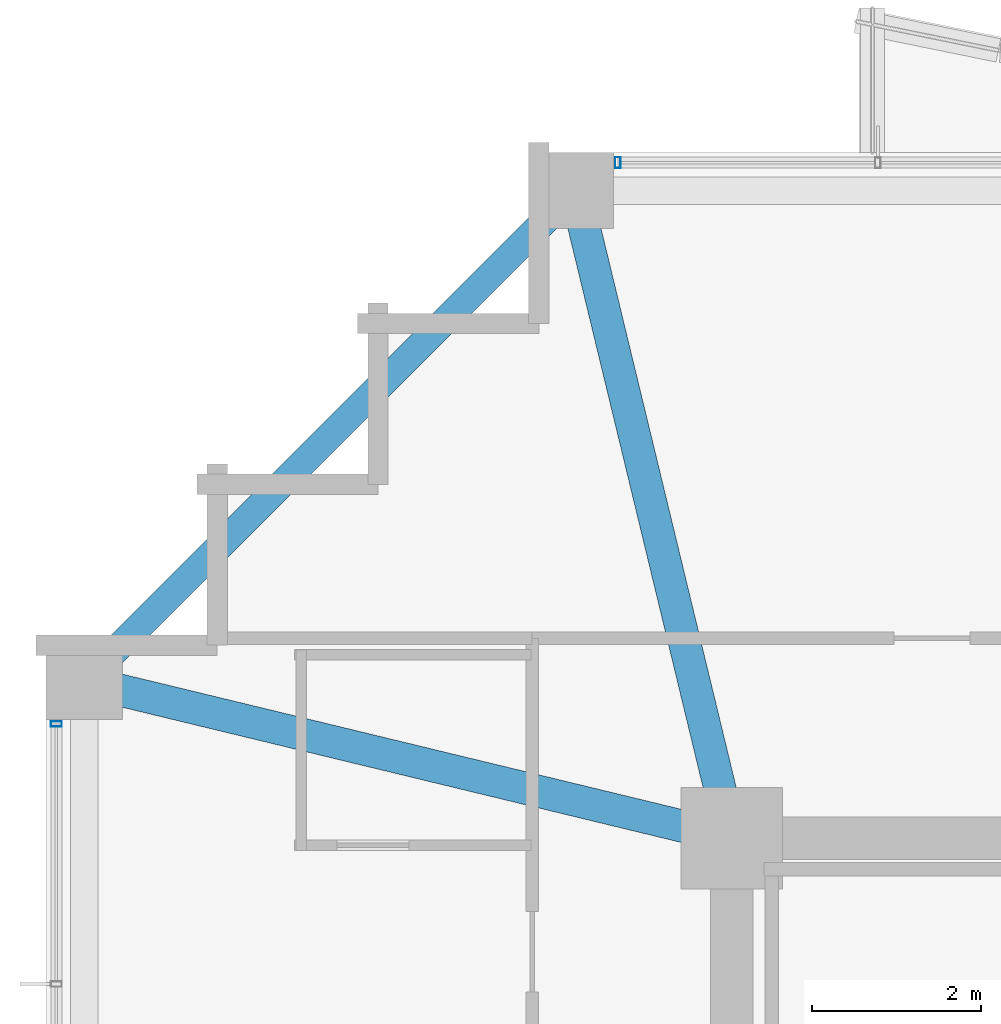
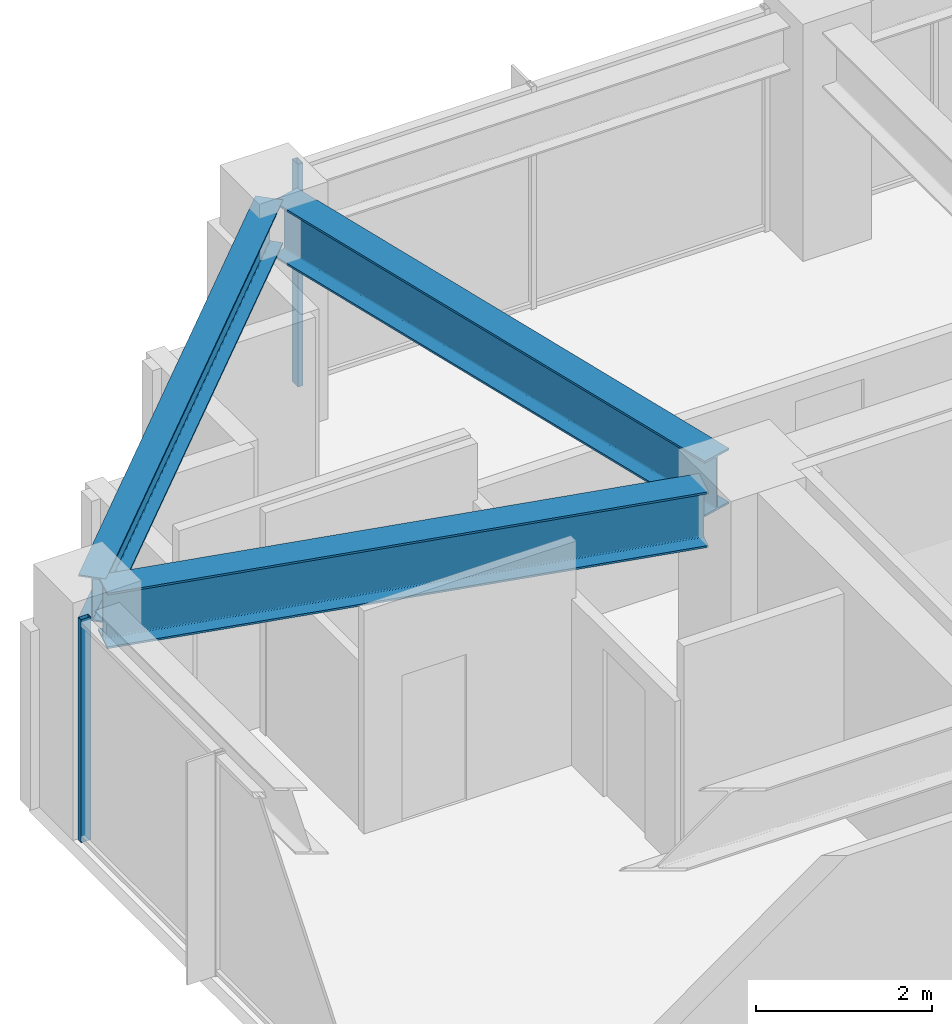
# One storey, part 16 of 31: 3 beams, 2 members, 2 elements without a shape of their own.
"""IFC4 building model written with IfcOpenShell, lengths in metres."""

from ifc_helpers import new_model, si_unit, direction, frame, origin, origin_2d, place, context, subcontext, project, spatial, hollow_rectangle, i_section, extrude, material, material_profile, profile_set, type_object, element, aggregate, save


model = new_model("IFC4")

# Units and contexts
model_context = context("Model", 3, precision=1e-05, world=origin(), true_north=direction((0.0, 1.0)))
body_context = subcontext(model_context, "Body", "Model", "MODEL_VIEW")
ifc_project = project(units=[si_unit("LENGTHUNIT", "METRE"), si_unit("AREAUNIT", "SQUARE_METRE"), si_unit("VOLUMEUNIT", "CUBIC_METRE"), si_unit("PLANEANGLEUNIT", "RADIAN"), si_unit("MASSUNIT", "GRAM", prefix="KILO")], contexts=[model_context])

# Site, building, storey
site_placement = place(None, origin())
site = spatial("IfcSite", under=ifc_project, at=site_placement, CompositionType="ELEMENT")
building_placement = place(site_placement, origin())
building = spatial("IfcBuilding", under=site, at=building_placement, Name="Kolvaren Belvedere", CompositionType="ELEMENT")
storey_placement = place(building_placement, frame((0.0, 0.0, 131.60009765625)))
storey = spatial("IfcBuildingStorey", under=building, at=storey_placement, Name="L38", CompositionType="ELEMENT", Elevation=131.60009765625)

# Beams
ifc_material_1 = material(Name="Structural steel ASTM A992 Grade 50", Category="steel")
ifc_material_profile_1 = material_profile(ifc_material_1, i_section(OverallWidth=0.381103515625, OverallDepth=0.77294921875, WebThickness=0.0166015625, FlangeThickness=0.027099609375, FilletRadius=0.02392578125, at=origin_2d()), Name="W30X173")
ifc_profile_set_1 = profile_set([ifc_material_profile_1], Name="Structural steel ASTM A992 Grade 50")
beam_type_1 = type_object("IfcBeamType", Name="BM-GIRD-W30X173", PredefinedType="BEAM", material=ifc_profile_set_1)
for number, where, z_axis, x_axis, name in (
    (1, (-10.029296875, 10.4345703125, 2.71337890625), (-0.235062749937, 0.971980197119, 0.0), (-0.971980197119, -0.235062749937, 0.0), "L38 Corner Core-to-Perimeter Girder CC4-N1"),
    (2, (-10.4345703125, 10.029296875, 2.71337890625), (-0.971980197119, 0.235062749937, 0.0), (-0.235062749937, -0.971980197119, 0.0), "L38 Corner Core-to-Perimeter Girder CC4-W4"),
):
    element("IfcBeam", number, at=place(storey_placement, frame(where, z_axis=z_axis, x_axis=x_axis)), inside=storey, type_object=beam_type_1, Name=name, PredefinedType="BEAM", context=body_context, shape_type="SweptSolid", body=[
        extrude(i_section(OverallWidth=0.381103515625, OverallDepth=0.77294921875, WebThickness=0.0166015625, FlangeThickness=0.027099609375, FilletRadius=0.02392578125, at=origin_2d()), origin(), (0.0, 0.0, 1.0), 7.140625),
    ])
ifc_material_2 = material(Name="Structural steel ASTM A992 Grade 50", Category="steel")
ifc_material_profile_2 = material_profile(ifc_material_2, i_section(OverallWidth=0.324951171875, OverallDepth=0.615966796875, WebThickness=0.013916015625, FlangeThickness=0.021484375, FilletRadius=0.02001953125, at=origin_2d()), Name="W24X117")
ifc_profile_set_2 = profile_set([ifc_material_profile_2], Name="Structural steel ASTM A992 Grade 50")
beam_type_2 = type_object("IfcBeamType", Name="BM-SPAN-W24X117", PredefinedType="SPANDREL", material=ifc_profile_set_2)
beam_placement = place(storey_placement, frame((-11.893310546875, 17.40673828125, 2.7919921875), z_axis=(-0.707106781187, -0.707106781187, 0.0), x_axis=(0.707106781187, -0.707106781187, 0.0)))
element("IfcBeam", 3, at=beam_placement, inside=storey, type_object=beam_type_2, Name="L38 Perimeter Spandrel N1-W4", PredefinedType="SPANDREL", context=body_context, shape_type="SweptSolid", body=[
    extrude(i_section(OverallWidth=0.324951171875, OverallDepth=0.615966796875, WebThickness=0.013916015625, FlangeThickness=0.021484375, FilletRadius=0.02001953125, at=origin_2d()), origin(), (0.0, 0.0, 1.0), 7.797119140625),
])

# Curtain wall, member
ifc_material_3 = material(Name="Anodised pale-metal aluminium AA 6063-T6", Category="aluminium")
curtain_wall_type = type_object("IfcCurtainWallType", Name="CW-Z3-WAIST", PredefinedType="NOTDEFINED", material=ifc_material_3)
curtain_wall_1_placement = place(storey_placement, origin())
curtain_wall_1 = element("IfcCurtainWall", 4, at=curtain_wall_1_placement, inside=storey, type_object=curtain_wall_type, Name="L38 Unitised Curtain Wall FCW-L38-N1-B1", PredefinedType="NOTDEFINED")
ifc_material_4 = material(Name="Anodised pale-metal aluminium AA 6063-T6", Category="aluminium")
ifc_material_profile_3 = material_profile(ifc_material_4, hollow_rectangle(XDim=0.06494140625, YDim=0.1298828125, WallThickness=0.00390625, at=origin_2d()), Name="ALU-MUL-130X65")
ifc_profile_set_3 = profile_set([ifc_material_profile_3], Name="Anodised pale-metal aluminium AA 6063-T6")
member_type = type_object("IfcMemberType", Name="CW-MUL-130", PredefinedType="MULLION", material=ifc_profile_set_3)
member_1_placement = place(storey_placement, frame((-11.24755859375, 17.8798828125, 0.0), z_axis=(0.0, 0.0, 1.0), x_axis=(1.0, 0.0, 0.0)))
member_1 = element("IfcMember", 5, at=member_1_placement, type_object=member_type, Name="FCW-L38-N1-B1 Unitised Mullion 1", PredefinedType="MULLION", context=body_context, shape_type="SweptSolid", body=[
    extrude(hollow_rectangle(XDim=0.06494140625, YDim=0.1298828125, WallThickness=0.00390625, at=origin_2d()), origin(), (0.0, 0.0, 1.0), 3.099853515625),
])
aggregate(curtain_wall_1, [member_1])

curtain_wall_2_placement = place(storey_placement, origin())
curtain_wall_2 = element("IfcCurtainWall", 6, at=curtain_wall_2_placement, inside=storey, type_object=curtain_wall_type, Name="L38 Unitised Curtain Wall FCW-L38-W-B3", PredefinedType="NOTDEFINED")
member_2_placement = place(storey_placement, frame((-17.8798828125, 11.24755859375, 0.0), z_axis=(0.0, 0.0, 1.0), x_axis=(0.0, 1.0, 0.0)))
member_2 = element("IfcMember", 7, at=member_2_placement, type_object=member_type, Name="FCW-L38-W-B3 Unitised Mullion 3", PredefinedType="MULLION", context=body_context, shape_type="SweptSolid", body=[
    extrude(hollow_rectangle(XDim=0.06494140625, YDim=0.1298828125, WallThickness=0.00390625, at=origin_2d()), origin(), (0.0, 0.0, 1.0), 3.099853515625),
])
aggregate(curtain_wall_2, [member_2])

save(model, "model.ifc")
